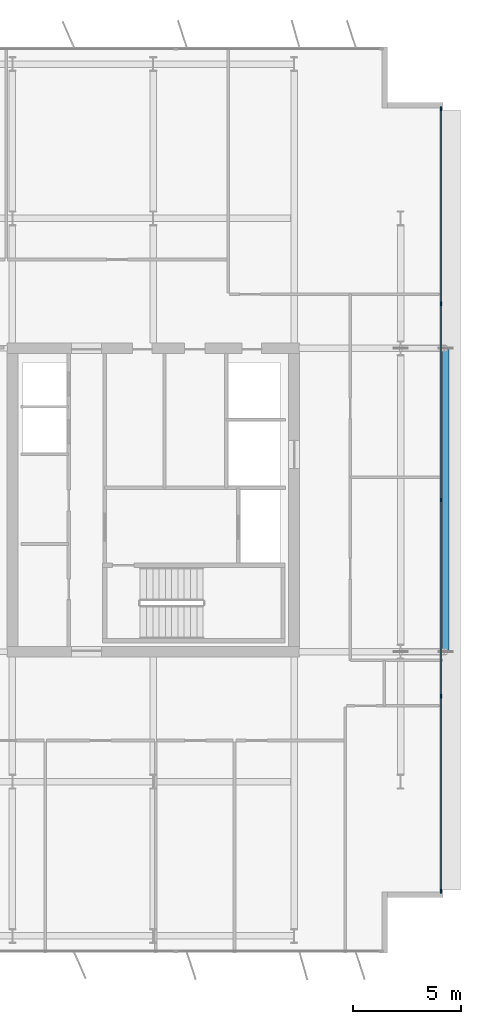
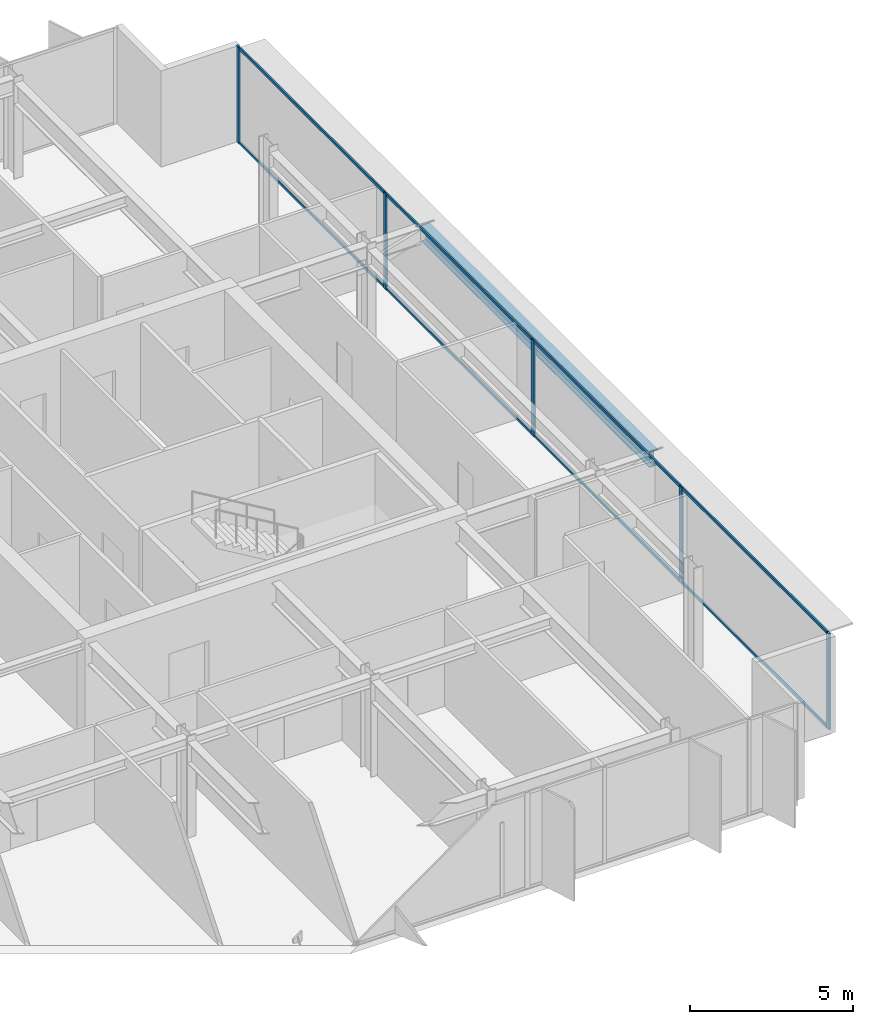
# One storey, part 10 of 20: 13 members, 1 beam, 1 element without a shape of its own.
"""IFC4 building model written with IfcOpenShell, lengths in metres."""

import ifcopenshell
import ifcopenshell.guid

model = None  # the IFC model being written
_history = None  # IfcOwnerHistory: only IFC2X3 demands one
_inside = {}  # id of a spatial element -> (the spatial element, [elements in it])
_under = {}  # id of a project, library or spatial element -> (it, [spatial elements below it])
_declared = {}  # id of a project -> (the project, [libraries it declares])
_typed = {}  # id of a type object -> (the type object, [elements of that type])
_made_of = {}  # id of a material, layer set ... -> (it, [elements and type objects made of it])


def new_model(schema):
    """Start an empty IFC model of exactly this schema.

    Asked for "IFC4X3", IfcOpenShell would pick the latest addendum, in which some entities
    have other attributes; the version numbers below select the first issue.
    IFC2X3 requires an IfcOwnerHistory on every rooted entity: one is made here for all.
    """
    global model, _history
    if schema == "IFC4X3":
        model = ifcopenshell.file(schema_version=(4, 3, 0, 0))
    else:
        model = ifcopenshell.file(schema=schema)
    _inside.clear()
    _under.clear()
    _declared.clear()
    _typed.clear()
    _made_of.clear()
    _history = None
    if model.schema == "IFC2X3":
        org = make("IfcOrganization", Name="unknown")
        user = make(
            "IfcPersonAndOrganization",
            ThePerson=make("IfcPerson", FamilyName="unknown"),
            TheOrganization=org,
        )
        app = make(
            "IfcApplication",
            ApplicationDeveloper=org,
            Version="unknown",
            ApplicationFullName="unknown",
            ApplicationIdentifier="unknown",
        )
        _history = make(
            "IfcOwnerHistory",
            OwningUser=user,
            OwningApplication=app,
            ChangeAction="ADDED",
            CreationDate=0,
        )
    return model


def make(cls, **values):
    """One entity of the class cls with the attributes given. An attribute that is None is left unset."""
    return model.create_entity(
        cls, **{name: value for name, value in values.items() if value is not None}
    )


def rooted(cls, **values):
    """An entity with a GlobalId (a new one), such as an element, a storey or a relation."""
    return make(cls, GlobalId=ifcopenshell.guid.new(), OwnerHistory=_history, **values)


def si_unit(unit_type, name, prefix=None):
    """IfcSIUnit, for example si_unit("LENGTHUNIT", "METRE", prefix="MILLI")."""
    return make("IfcSIUnit", UnitType=unit_type, Prefix=prefix, Name=name)


def assignment(units):
    """IfcUnitAssignment: the units of a project."""
    return None if units is None else make("IfcUnitAssignment", Units=units)


def point(xyz):
    """IfcCartesianPoint."""
    return None if xyz is None else make("IfcCartesianPoint", Coordinates=xyz)


def direction(xyz):
    """IfcDirection."""
    return None if xyz is None else make("IfcDirection", DirectionRatios=xyz)


def frame(location, z_axis=None, x_axis=None):
    """IfcAxis2Placement3D, a coordinate frame: its origin and axes. An axis left out is left unset."""
    return make(
        "IfcAxis2Placement3D",
        Location=point(location),
        Axis=direction(z_axis),
        RefDirection=direction(x_axis),
    )


def frame_2d(location, x_axis=None):
    """IfcAxis2Placement2D, a coordinate frame in the plane: its origin and x axis."""
    return make(
        "IfcAxis2Placement2D", Location=point(location), RefDirection=direction(x_axis)
    )


def origin():
    """The frame at (0, 0, 0) with its axes left unset."""
    return frame((0.0, 0.0, 0.0))


def origin_2d():
    """The frame at (0, 0) in the plane with its x axis left unset."""
    return frame_2d((0.0, 0.0))


def place(relative_to, where):
    """IfcLocalPlacement: puts the frame where relative to a parent placement (None: the world)."""
    return make(
        "IfcLocalPlacement", PlacementRelTo=relative_to, RelativePlacement=where
    )


def context(
    kind, dimensions, precision=None, world=None, true_north=None, identifier=None
):
    """IfcGeometricRepresentationContext, for example the 3D "Model" context."""
    return make(
        "IfcGeometricRepresentationContext",
        ContextIdentifier=identifier,
        ContextType=kind,
        CoordinateSpaceDimension=dimensions,
        Precision=precision,
        WorldCoordinateSystem=world,
        TrueNorth=true_north,
    )


def subcontext(parent, identifier, kind, view, scale=None):
    """IfcGeometricRepresentationSubContext, for example "Body" below "Model"."""
    return make(
        "IfcGeometricRepresentationSubContext",
        ContextIdentifier=identifier,
        ContextType=kind,
        ParentContext=parent,
        TargetScale=scale,
        TargetView=view,
    )


def project(units=None, contexts=None):
    """IfcProject with its units and contexts."""
    return rooted(
        "IfcProject",
        Name="project",
        RepresentationContexts=contexts,
        UnitsInContext=assignment(units),
    )


def spatial(cls, under=None, at=None, **own):
    """A site, building, storey or space (cls), placed at a placement, below another one or the project."""
    s = rooted(cls, ObjectPlacement=at, **own)
    if under is not None:
        _under.setdefault(under.id(), (under, []))[1].append(s)
    return s


def profile(cls, at=None, kind="AREA", **sizes):
    """A parametric profile (cls). Its sizes go by their IFC names, for example OverallWidth=200.0."""
    return make(cls, ProfileType=kind, Position=at, **sizes)


def rectangle(**sizes):
    """IfcRectangleProfileDef."""
    return profile("IfcRectangleProfileDef", **sizes)


def i_section(**sizes):
    """IfcIShapeProfileDef."""
    return profile("IfcIShapeProfileDef", **sizes)


def extrude(swept, where, along, depth):
    """IfcExtrudedAreaSolid: the profile swept, set in the frame where, extruded along a direction by depth."""
    return make(
        "IfcExtrudedAreaSolid",
        SweptArea=swept,
        Position=where,
        ExtrudedDirection=direction(along),
        Depth=depth,
    )


def shape(context_of_items, identifier, shape_type, items):
    """IfcShapeRepresentation: the items that make up one representation, for example the "Body"."""
    return make(
        "IfcShapeRepresentation",
        ContextOfItems=context_of_items,
        RepresentationIdentifier=identifier,
        RepresentationType=shape_type,
        Items=items,
    )


def material(Name=None, Category=None):
    """IfcMaterial."""
    return make("IfcMaterial", Name=Name, Category=Category)


def layer(
    of_material, thickness, ventilated=None, Name=None, Category=None, Priority=None
):
    """IfcMaterialLayer: one layer of a wall or slab, of a material (None: an air gap)."""
    return make(
        "IfcMaterialLayer",
        Material=of_material,
        LayerThickness=thickness,
        IsVentilated=ventilated,
        Name=Name,
        Category=Category,
        Priority=Priority,
    )


def layer_set(layers, Name=None):
    """IfcMaterialLayerSet."""
    return make("IfcMaterialLayerSet", MaterialLayers=layers, LayerSetName=Name)


def material_profile(
    of_material, cross_section, Name=None, Category=None, Priority=None
):
    """IfcMaterialProfile: a cross section and its material."""
    return make(
        "IfcMaterialProfile",
        Name=Name,
        Material=of_material,
        Profile=cross_section,
        Priority=Priority,
        Category=Category,
    )


def profile_set(profiles, Name=None, composite=None):
    """IfcMaterialProfileSet."""
    return make(
        "IfcMaterialProfileSet",
        Name=Name,
        MaterialProfiles=profiles,
        CompositeProfile=composite,
    )


def made_of(thing, what):
    """Note that an element or type object is made of a material, layer set ...; save() writes the relation."""
    if what is not None:
        _made_of.setdefault(what.id(), (what, []))[1].append(thing)
    return thing


def type_object(cls, material=None, **own):
    """A type object (cls), such as IfcWallType, which elements share."""
    return made_of(rooted(cls, **own), material)


def element(
    cls,
    number,
    at=None,
    inside=None,
    cuts=None,
    type_object=None,
    material=None,
    context=None,
    identifier="Body",
    shape_type=None,
    held_by="IfcProductDefinitionShape",
    body=None,
    shapes=None,
    **own,
):
    """One element of the class cls, such as IfcWall. Its Tag is "e" and its number.

    at: its placement. inside: the storey or other place that contains it. cuts: it is an
    opening in that element (IfcRelVoidsElement). A single representation is given by context,
    identifier, shape_type and body (its items); several are given by shapes. held_by: the class
    of the entity that holds the representations. save() writes the other relations.
    """
    e = rooted(cls, Tag="e%d" % number, ObjectPlacement=at, **own)
    if body is not None:
        shapes = [shape(context, identifier, shape_type, body)]
    if shapes is not None:
        e.Representation = make(held_by, Representations=shapes)
    if inside is not None:
        _inside.setdefault(inside.id(), (inside, []))[1].append(e)
    if cuts is not None:
        rooted(
            "IfcRelVoidsElement", RelatingBuildingElement=cuts, RelatedOpeningElement=e
        )
    if type_object is not None:
        _typed.setdefault(type_object.id(), (type_object, []))[1].append(e)
    return made_of(e, material)


def aggregate(whole, parts):
    """IfcRelAggregates: a whole, such as a stair, and the parts it consists of."""
    return rooted("IfcRelAggregates", RelatingObject=whole, RelatedObjects=parts)


def save(model, path):
    """Write the relations noted so far, then the file.

    IfcRelAggregates (storeys below a building ...), IfcRelContainedInSpatialStructure (elements
    in a storey), IfcRelDefinesByType, IfcRelAssociatesMaterial and IfcRelDeclares: one each for
    every whole, place, type object, material and project.
    """
    for whole, parts in _under.values():
        aggregate(whole, parts)
    for where, things in _inside.values():
        rooted(
            "IfcRelContainedInSpatialStructure",
            RelatedElements=things,
            RelatingStructure=where,
        )
    for kind, things in _typed.values():
        rooted("IfcRelDefinesByType", RelatedObjects=things, RelatingType=kind)
    for what, things in _made_of.values():
        rooted("IfcRelAssociatesMaterial", RelatedObjects=things, RelatingMaterial=what)
    for by, libraries in _declared.values():
        rooted("IfcRelDeclares", RelatingContext=by, RelatedDefinitions=libraries)
    model.write(path)


model = new_model("IFC4")

# Units and contexts
model_context = context("Model", 3, precision=1e-05, world=origin(), true_north=direction((0.0, 1.0)))
body_context = subcontext(model_context, "Body", "Model", "MODEL_VIEW")
ifc_project = project(units=[si_unit("LENGTHUNIT", "METRE"), si_unit("AREAUNIT", "SQUARE_METRE"), si_unit("VOLUMEUNIT", "CUBIC_METRE"), si_unit("PLANEANGLEUNIT", "RADIAN"), si_unit("MASSUNIT", "GRAM", prefix="KILO")], contexts=[model_context])

# Site, building, storey
site_placement = place(None, origin())
site = spatial("IfcSite", under=ifc_project, at=site_placement, CompositionType="ELEMENT")
building_placement = place(site_placement, origin())
building = spatial("IfcBuilding", under=site, at=building_placement, Name="Putna Gate Headquarters", CompositionType="ELEMENT")
storey_placement = place(building_placement, frame((0.0, 0.0, 274.60009765625)))
storey = spatial("IfcBuildingStorey", under=building, at=storey_placement, Name="L69", CompositionType="ELEMENT", Elevation=274.60009765625)

# Beam
ifc_material_1 = material(Name="Steel S355J2", Category="steel")
ifc_material_profile_1 = material_profile(ifc_material_1, i_section(OverallWidth=0.300048828125, OverallDepth=0.590087890625, WebThickness=0.012939453125, FlangeThickness=0.02490234375, at=origin_2d()), Name="Steel S355J2")
ifc_profile_set_1 = profile_set([ifc_material_profile_1], Name="Steel S355J2")
beam_type = type_object("IfcBeamType", Name="BM-SPAN-Z4-HEA600", PredefinedType="SPANDREL", material=ifc_profile_set_1)
beam_placement = place(storey_placement, frame((72.001220703125, 19.02001953125, 3.29296875), z_axis=(0.0, 1.0, 0.0), x_axis=(-1.0, 0.0, 0.0)))
element("IfcBeam", 1, at=beam_placement, inside=storey, type_object=beam_type, Name="L69 East Sail Edge Spandrel", PredefinedType="SPANDREL", context=body_context, shape_type="SweptSolid", body=[
    extrude(i_section(OverallWidth=0.300048828125, OverallDepth=0.590087890625, WebThickness=0.012939453125, FlangeThickness=0.02490234375, at=origin_2d()), origin(), (0.0, 0.0, 1.0), 13.9599609375),
])

# Curtain wall, members
ifc_material_2 = material(Name="Anodised bronze aluminium curtain wall", Category="aluminium")
ifc_layer = layer(ifc_material_2, 0.179931640625)
ifc_layer_set = layer_set([ifc_layer], Name="Anodised bronze aluminium curtain wall")
curtain_wall_type = type_object("IfcCurtainWallType", Name="CW-SYS-Z5", PredefinedType="USERDEFINED", material=ifc_layer_set)
curtain_wall_placement = place(storey_placement, origin())
curtain_wall = element("IfcCurtainWall", 2, at=curtain_wall_placement, inside=storey, type_object=curtain_wall_type, Name="L69 East Curtain Wall", ObjectType="STICK CURTAIN WALL", PredefinedType="USERDEFINED")
ifc_material_3 = material(Name="Anodised bronze aluminium EN AW-6060", Category="aluminium")
ifc_material_profile_2 = material_profile(ifc_material_3, rectangle(XDim=0.070068359375, YDim=0.179931640625, at=origin_2d()), Name="Anodised bronze aluminium EN AW-6060")
ifc_profile_set_2 = profile_set([ifc_material_profile_2], Name="Anodised bronze aluminium EN AW-6060")
member_type_1 = type_object("IfcMemberType", Name="MULL-CWM-5", PredefinedType="MULLION", material=ifc_profile_set_2)
member_1_placement = place(storey_placement, frame((71.784912109375, 7.93505859375, 0.0), z_axis=(0.0, 0.0, 1.0), x_axis=(-1.0, 0.0, 0.0)))
member_1 = element("IfcMember", 3, at=member_1_placement, type_object=member_type_1, Name="CWS-5 mullion 1", PredefinedType="MULLION", context=body_context, shape_type="SweptSolid", body=[
    extrude(rectangle(XDim=0.070068359375, YDim=0.179931640625, at=origin_2d()), origin(), (0.0, 0.0, 1.0), 3.587890625),
])
member_2_placement = place(storey_placement, frame((71.784912109375, 16.949951171875, 0.0), z_axis=(0.0, 0.0, 1.0), x_axis=(-1.0, 0.0, 0.0)))
member_2 = element("IfcMember", 4, at=member_2_placement, type_object=member_type_1, Name="CWS-5 mullion 2", PredefinedType="MULLION", context=body_context, shape_type="SweptSolid", body=[
    extrude(rectangle(XDim=0.070068359375, YDim=0.179931640625, at=origin_2d()), origin(), (0.0, 0.0, 1.0), 3.587890625),
])
member_3_placement = place(storey_placement, frame((71.784912109375, 26.0, 0.0), z_axis=(0.0, 0.0, 1.0), x_axis=(-1.0, 0.0, 0.0)))
member_3 = element("IfcMember", 5, at=member_3_placement, type_object=member_type_1, Name="CWS-5 mullion 3", PredefinedType="MULLION", context=body_context, shape_type="SweptSolid", body=[
    extrude(rectangle(XDim=0.070068359375, YDim=0.179931640625, at=origin_2d()), origin(), (0.0, 0.0, 1.0), 3.587890625),
])
member_4_placement = place(storey_placement, frame((71.784912109375, 35.050048828125, 0.0), z_axis=(0.0, 0.0, 1.0), x_axis=(-1.0, 0.0, 0.0)))
member_4 = element("IfcMember", 6, at=member_4_placement, type_object=member_type_1, Name="CWS-5 mullion 4", PredefinedType="MULLION", context=body_context, shape_type="SweptSolid", body=[
    extrude(rectangle(XDim=0.070068359375, YDim=0.179931640625, at=origin_2d()), origin(), (0.0, 0.0, 1.0), 3.587890625),
])
member_5_placement = place(storey_placement, frame((71.784912109375, 44.06494140625, 0.0), z_axis=(0.0, 0.0, 1.0), x_axis=(-1.0, 0.0, 0.0)))
member_5 = element("IfcMember", 7, at=member_5_placement, type_object=member_type_1, Name="CWS-5 mullion 5", PredefinedType="MULLION", context=body_context, shape_type="SweptSolid", body=[
    extrude(rectangle(XDim=0.070068359375, YDim=0.179931640625, at=origin_2d()), origin(), (0.0, 0.0, 1.0), 3.587890625),
])
ifc_material_profile_3 = material_profile(ifc_material_3, rectangle(XDim=0.06005859375, YDim=0.10009765625, at=origin_2d()), Name="Anodised bronze aluminium EN AW-6060")
ifc_profile_set_3 = profile_set([ifc_material_profile_3], Name="Anodised bronze aluminium EN AW-6060")
member_type_2 = type_object("IfcMemberType", Name="TRAN-CWT-5", PredefinedType="USERDEFINED", material=ifc_profile_set_3)
member_6_placement = place(storey_placement, frame((71.784912109375, 7.969970703125, 0.02978515625), z_axis=(0.0, 1.0, 0.0), x_axis=(-1.0, 0.0, 0.0)))
member_6 = element("IfcMember", 8, at=member_6_placement, type_object=member_type_2, Name="CWS-5 transom 1.1", ObjectType="TRANSOM", PredefinedType="USERDEFINED", context=body_context, shape_type="SweptSolid", body=[
    extrude(rectangle(XDim=0.06005859375, YDim=0.10009765625, at=origin_2d()), origin(), (0.0, 0.0, 1.0), 8.945068359375),
])
member_7_placement = place(storey_placement, frame((71.784912109375, 7.969970703125, 3.557861328125), z_axis=(0.0, 1.0, 0.0), x_axis=(-1.0, 0.0, 0.0)))
member_7 = element("IfcMember", 9, at=member_7_placement, type_object=member_type_2, Name="CWS-5 transom 1.2", ObjectType="TRANSOM", PredefinedType="USERDEFINED", context=body_context, shape_type="SweptSolid", body=[
    extrude(rectangle(XDim=0.06005859375, YDim=0.10009765625, at=origin_2d()), origin(), (0.0, 0.0, 1.0), 8.945068359375),
])
member_8_placement = place(storey_placement, frame((71.784912109375, 16.985107421875, 0.02978515625), z_axis=(0.0, 1.0, 0.0), x_axis=(-1.0, 0.0, 0.0)))
member_8 = element("IfcMember", 10, at=member_8_placement, type_object=member_type_2, Name="CWS-5 transom 2.1", ObjectType="TRANSOM", PredefinedType="USERDEFINED", context=body_context, shape_type="SweptSolid", body=[
    extrude(rectangle(XDim=0.06005859375, YDim=0.10009765625, at=origin_2d()), origin(), (0.0, 0.0, 1.0), 8.97998046875),
])
member_9_placement = place(storey_placement, frame((71.784912109375, 16.985107421875, 3.557861328125), z_axis=(0.0, 1.0, 0.0), x_axis=(-1.0, 0.0, 0.0)))
member_9 = element("IfcMember", 11, at=member_9_placement, type_object=member_type_2, Name="CWS-5 transom 2.2", ObjectType="TRANSOM", PredefinedType="USERDEFINED", context=body_context, shape_type="SweptSolid", body=[
    extrude(rectangle(XDim=0.06005859375, YDim=0.10009765625, at=origin_2d()), origin(), (0.0, 0.0, 1.0), 8.97998046875),
])
member_10_placement = place(storey_placement, frame((71.784912109375, 26.034912109375, 0.02978515625), z_axis=(0.0, 1.0, 0.0), x_axis=(-1.0, 0.0, 0.0)))
member_10 = element("IfcMember", 12, at=member_10_placement, type_object=member_type_2, Name="CWS-5 transom 3.1", ObjectType="TRANSOM", PredefinedType="USERDEFINED", context=body_context, shape_type="SweptSolid", body=[
    extrude(rectangle(XDim=0.06005859375, YDim=0.10009765625, at=origin_2d()), origin(), (0.0, 0.0, 1.0), 8.97998046875),
])
member_11_placement = place(storey_placement, frame((71.784912109375, 26.034912109375, 3.557861328125), z_axis=(0.0, 1.0, 0.0), x_axis=(-1.0, 0.0, 0.0)))
member_11 = element("IfcMember", 13, at=member_11_placement, type_object=member_type_2, Name="CWS-5 transom 3.2", ObjectType="TRANSOM", PredefinedType="USERDEFINED", context=body_context, shape_type="SweptSolid", body=[
    extrude(rectangle(XDim=0.06005859375, YDim=0.10009765625, at=origin_2d()), origin(), (0.0, 0.0, 1.0), 8.97998046875),
])
member_12_placement = place(storey_placement, frame((71.784912109375, 35.0849609375, 0.02978515625), z_axis=(0.0, 1.0, 0.0), x_axis=(-1.0, 0.0, 0.0)))
member_12 = element("IfcMember", 14, at=member_12_placement, type_object=member_type_2, Name="CWS-5 transom 4.1", ObjectType="TRANSOM", PredefinedType="USERDEFINED", context=body_context, shape_type="SweptSolid", body=[
    extrude(rectangle(XDim=0.06005859375, YDim=0.10009765625, at=origin_2d()), origin(), (0.0, 0.0, 1.0), 8.945068359375),
])
member_13_placement = place(storey_placement, frame((71.784912109375, 35.0849609375, 3.557861328125), z_axis=(0.0, 1.0, 0.0), x_axis=(-1.0, 0.0, 0.0)))
member_13 = element("IfcMember", 15, at=member_13_placement, type_object=member_type_2, Name="CWS-5 transom 4.2", ObjectType="TRANSOM", PredefinedType="USERDEFINED", context=body_context, shape_type="SweptSolid", body=[
    extrude(rectangle(XDim=0.06005859375, YDim=0.10009765625, at=origin_2d()), origin(), (0.0, 0.0, 1.0), 8.945068359375),
])
aggregate(curtain_wall, [member_1, member_2, member_3, member_4, member_5, member_6, member_7, member_8, member_9, member_10, member_11, member_12, member_13])

save(model, "model.ifc")
